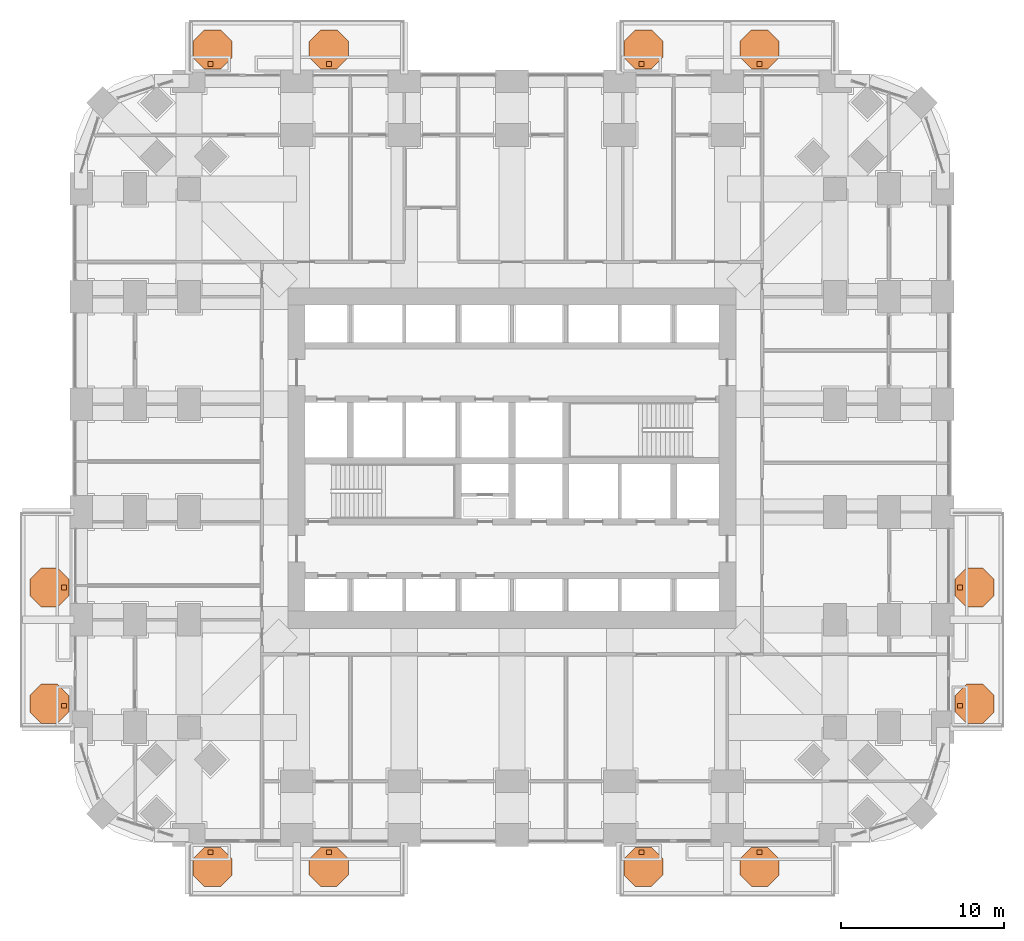
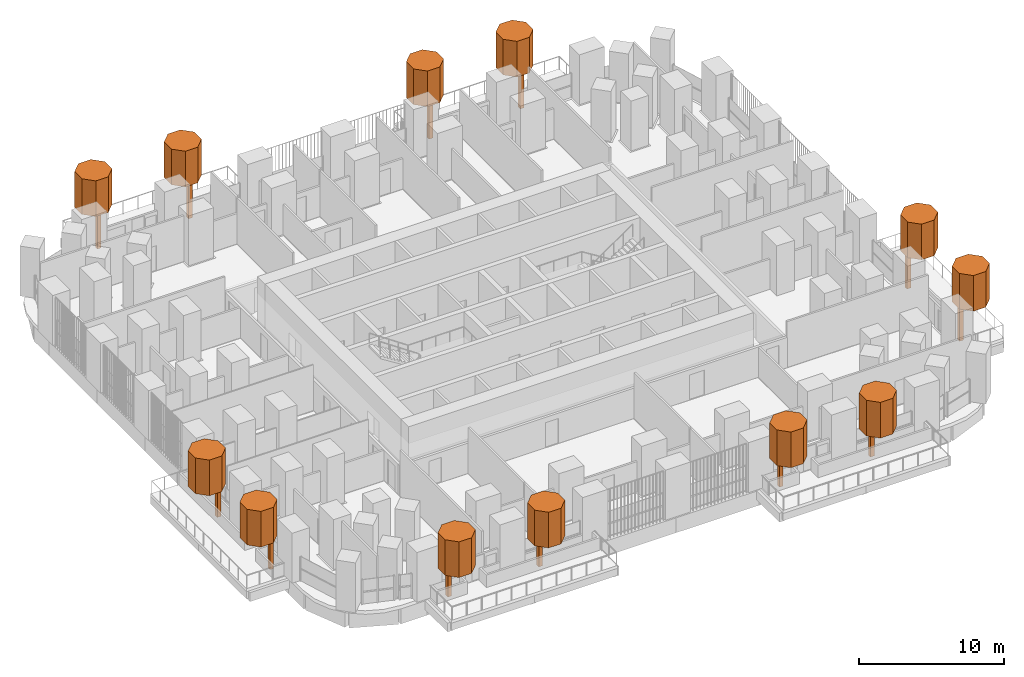
# One storey, part 27 of 27: 24 geographic elements.
"""IFC4 building model written with IfcOpenShell, lengths in metres."""

from ifc_helpers import new_model, si_unit, direction, frame, origin, origin_2d, place, context, subcontext, project, spatial, polyline, rectangle, outline, extrude, material, type_object, element, save


model = new_model("IFC4")

# Units and contexts
model_context = context("Model", 3, precision=1e-05, world=origin(), true_north=direction((0.0, 1.0)))
body_context = subcontext(model_context, "Body", "Model", "MODEL_VIEW")
ifc_project = project(units=[si_unit("LENGTHUNIT", "METRE"), si_unit("AREAUNIT", "SQUARE_METRE"), si_unit("VOLUMEUNIT", "CUBIC_METRE"), si_unit("PLANEANGLEUNIT", "RADIAN"), si_unit("MASSUNIT", "GRAM", prefix="KILO")], contexts=[model_context])

# Site, building, storey
site_placement = place(None, origin())
site = spatial("IfcSite", under=ifc_project, at=site_placement, CompositionType="ELEMENT")
building_placement = place(site_placement, origin())
building = spatial("IfcBuilding", under=site, at=building_placement, Name="Cobogo Forest Laboratory Tower", CompositionType="ELEMENT")
storey_placement = place(building_placement, frame((0.0, 0.0, 71.699951171875)))
storey = spatial("IfcBuildingStorey", under=building, at=storey_placement, Name="L16", CompositionType="ELEMENT", Elevation=71.699951171875)

# Geographic elements
ifc_material = material(Name="Planting", Category="plant")
geographic_element_type_1 = type_object("IfcGeographicElementType", Name="Tree trunk 300", PredefinedType="USERDEFINED", material=ifc_material)
for number, where, z_axis, x_axis, name in (
    (1, (7.925048828125, -1.050048828125, 0.0), (0.0, 0.0, 1.0), (1.0, 0.0, 0.0), "Tree trunk BAL-S1-PL1 L16"),
    (2, (15.175048828125, -1.050048828125, 0.0), (0.0, 0.0, 1.0), (1.0, 0.0, 0.0), "Tree trunk BAL-S1-PL2 L16"),
    (3, (34.324951171875, -1.050048828125, 0.0), (0.0, 0.0, 1.0), (1.0, 0.0, 0.0), "Tree trunk BAL-S2-PL1 L16"),
    (4, (41.574951171875, -1.050048828125, 0.0), (0.0, 0.0, 1.0), (1.0, 0.0, 0.0), "Tree trunk BAL-S2-PL2 L16"),
    (5, (53.85009765625, 7.925048828125, 0.0), (0.0, 0.0, 1.0), (1.0, 0.0, 0.0), "Tree trunk BAL-E1-PL1 L16"),
    (6, (53.85009765625, 15.175048828125, 0.0), (0.0, 0.0, 1.0), (1.0, 0.0, 0.0), "Tree trunk BAL-E1-PL2 L16"),
    (7, (7.925048828125, 47.25, 0.0), (0.0, 0.0, 1.0), (1.0, 0.0, 0.0), "Tree trunk BAL-N1-PL1 L16"),
    (8, (15.175048828125, 47.25, 0.0), (0.0, 0.0, 1.0), (1.0, 0.0, 0.0), "Tree trunk BAL-N1-PL2 L16"),
    (9, (34.324951171875, 47.25, 0.0), (0.0, 0.0, 1.0), (1.0, 0.0, 0.0), "Tree trunk BAL-N2-PL1 L16"),
    (10, (41.574951171875, 47.25, 0.0), (0.0, 0.0, 1.0), (1.0, 0.0, 0.0), "Tree trunk BAL-N2-PL2 L16"),
    (11, (-1.050048828125, 7.925048828125, 0.0), (0.0, 0.0, 1.0), (1.0, 0.0, 0.0), "Tree trunk BAL-W1-PL1 L16"),
    (12, (-1.050048828125, 15.175048828125, 0.0), (0.0, 0.0, 1.0), (1.0, 0.0, 0.0), "Tree trunk BAL-W1-PL2 L16"),
):
    element("IfcGeographicElement", number, at=place(storey_placement, frame(where, z_axis=z_axis, x_axis=x_axis)), inside=storey, type_object=geographic_element_type_1, Name=name, ObjectType="TREE TRUNK", PredefinedType="USERDEFINED", context=body_context, shape_type="SweptSolid", body=[
        extrude(rectangle(XDim=0.300048828125, YDim=0.300048828125, at=origin_2d()), origin(), (0.0, 0.0, 1.0), 2.89990234375),
    ])
geographic_element_type_2 = type_object("IfcGeographicElementType", Name="Tree, holm oak 5 m", PredefinedType="USERDEFINED", material=ifc_material)
geographic_element_1_placement = place(storey_placement, frame((0.0, 0.0, 2.900146484375)))
element("IfcGeographicElement", 13, at=geographic_element_1_placement, inside=storey, type_object=geographic_element_type_2, Name="Holm tree BAL-S1-PL1 L16", ObjectType="TREE", PredefinedType="USERDEFINED", context=body_context, shape_type="SweptSolid", body=[
    extrude(outline(polyline([(9.25, -2.447021484375), (9.25, -1.452880859375), (8.547119140625, -0.75), (7.552978515625, -0.75), (6.85009765625, -1.452880859375), (6.85009765625, -2.447021484375), (7.552978515625, -3.14990234375), (8.547119140625, -3.14990234375), (9.25, -2.447021484375)])), origin(), (0.0, 0.0, 1.0), 3.0),
])
geographic_element_2_placement = place(storey_placement, frame((0.0, 0.0, 2.900146484375)))
element("IfcGeographicElement", 14, at=geographic_element_2_placement, inside=storey, type_object=geographic_element_type_2, Name="Holm tree BAL-S1-PL2 L16", ObjectType="TREE", PredefinedType="USERDEFINED", context=body_context, shape_type="SweptSolid", body=[
    extrude(outline(polyline([(16.375, -2.447021484375), (16.375, -1.452880859375), (15.672119140625, -0.75), (14.677978515625, -0.75), (13.97509765625, -1.452880859375), (13.97509765625, -2.447021484375), (14.677978515625, -3.14990234375), (15.672119140625, -3.14990234375), (16.375, -2.447021484375)])), origin(), (0.0, 0.0, 1.0), 3.0),
])
geographic_element_3_placement = place(storey_placement, frame((0.0, 0.0, 2.900146484375)))
element("IfcGeographicElement", 15, at=geographic_element_3_placement, inside=storey, type_object=geographic_element_type_2, Name="Holm tree BAL-S2-PL1 L16", ObjectType="TREE", PredefinedType="USERDEFINED", context=body_context, shape_type="SweptSolid", body=[
    extrude(outline(polyline([(35.64990234375, -2.447021484375), (35.64990234375, -1.452880859375), (34.947021484375, -0.75), (33.952880859375, -0.75), (33.25, -1.452880859375), (33.25, -2.447021484375), (33.952880859375, -3.14990234375), (34.947021484375, -3.14990234375), (35.64990234375, -2.447021484375)])), origin(), (0.0, 0.0, 1.0), 3.0),
])
geographic_element_4_placement = place(storey_placement, frame((0.0, 0.0, 2.900146484375)))
element("IfcGeographicElement", 16, at=geographic_element_4_placement, inside=storey, type_object=geographic_element_type_2, Name="Holm tree BAL-S2-PL2 L16", ObjectType="TREE", PredefinedType="USERDEFINED", context=body_context, shape_type="SweptSolid", body=[
    extrude(outline(polyline([(42.77490234375, -2.447021484375), (42.77490234375, -1.452880859375), (42.072021484375, -0.75), (41.077880859375, -0.75), (40.375, -1.452880859375), (40.375, -2.447021484375), (41.077880859375, -3.14990234375), (42.072021484375, -3.14990234375), (42.77490234375, -2.447021484375)])), origin(), (0.0, 0.0, 1.0), 3.0),
])
geographic_element_5_placement = place(storey_placement, frame((0.0, 0.0, 2.900146484375)))
element("IfcGeographicElement", 17, at=geographic_element_5_placement, inside=storey, type_object=geographic_element_type_2, Name="Holm tree BAL-E1-PL1 L16", ObjectType="TREE", PredefinedType="USERDEFINED", context=body_context, shape_type="SweptSolid", body=[
    extrude(outline(polyline([(55.949951171875, 7.552978515625), (55.949951171875, 8.547119140625), (55.2470703125, 9.25), (54.2529296875, 9.25), (53.550048828125, 8.547119140625), (53.550048828125, 7.552978515625), (54.2529296875, 6.85009765625), (55.2470703125, 6.85009765625), (55.949951171875, 7.552978515625)])), origin(), (0.0, 0.0, 1.0), 3.0),
])
geographic_element_6_placement = place(storey_placement, frame((0.0, 0.0, 2.900146484375)))
element("IfcGeographicElement", 18, at=geographic_element_6_placement, inside=storey, type_object=geographic_element_type_2, Name="Holm tree BAL-E1-PL2 L16", ObjectType="TREE", PredefinedType="USERDEFINED", context=body_context, shape_type="SweptSolid", body=[
    extrude(outline(polyline([(55.949951171875, 14.677978515625), (55.949951171875, 15.672119140625), (55.2470703125, 16.375), (54.2529296875, 16.375), (53.550048828125, 15.672119140625), (53.550048828125, 14.677978515625), (54.2529296875, 13.97509765625), (55.2470703125, 13.97509765625), (55.949951171875, 14.677978515625)])), origin(), (0.0, 0.0, 1.0), 3.0),
])
geographic_element_7_placement = place(storey_placement, frame((0.0, 0.0, 2.900146484375)))
element("IfcGeographicElement", 19, at=geographic_element_7_placement, inside=storey, type_object=geographic_element_type_2, Name="Holm tree BAL-N1-PL1 L16", ObjectType="TREE", PredefinedType="USERDEFINED", context=body_context, shape_type="SweptSolid", body=[
    extrude(outline(polyline([(9.25, 47.65283203125), (9.25, 48.64697265625), (8.547119140625, 49.35009765625), (7.552978515625, 49.35009765625), (6.85009765625, 48.64697265625), (6.85009765625, 47.65283203125), (7.552978515625, 46.949951171875), (8.547119140625, 46.949951171875), (9.25, 47.65283203125)])), origin(), (0.0, 0.0, 1.0), 3.0),
])
geographic_element_8_placement = place(storey_placement, frame((0.0, 0.0, 2.900146484375)))
element("IfcGeographicElement", 20, at=geographic_element_8_placement, inside=storey, type_object=geographic_element_type_2, Name="Holm tree BAL-N1-PL2 L16", ObjectType="TREE", PredefinedType="USERDEFINED", context=body_context, shape_type="SweptSolid", body=[
    extrude(outline(polyline([(16.375, 47.65283203125), (16.375, 48.64697265625), (15.672119140625, 49.35009765625), (14.677978515625, 49.35009765625), (13.97509765625, 48.64697265625), (13.97509765625, 47.65283203125), (14.677978515625, 46.949951171875), (15.672119140625, 46.949951171875), (16.375, 47.65283203125)])), origin(), (0.0, 0.0, 1.0), 3.0),
])
geographic_element_9_placement = place(storey_placement, frame((0.0, 0.0, 2.900146484375)))
element("IfcGeographicElement", 21, at=geographic_element_9_placement, inside=storey, type_object=geographic_element_type_2, Name="Holm tree BAL-N2-PL1 L16", ObjectType="TREE", PredefinedType="USERDEFINED", context=body_context, shape_type="SweptSolid", body=[
    extrude(outline(polyline([(35.64990234375, 47.65283203125), (35.64990234375, 48.64697265625), (34.947021484375, 49.35009765625), (33.952880859375, 49.35009765625), (33.25, 48.64697265625), (33.25, 47.65283203125), (33.952880859375, 46.949951171875), (34.947021484375, 46.949951171875), (35.64990234375, 47.65283203125)])), origin(), (0.0, 0.0, 1.0), 3.0),
])
geographic_element_10_placement = place(storey_placement, frame((0.0, 0.0, 2.900146484375)))
element("IfcGeographicElement", 22, at=geographic_element_10_placement, inside=storey, type_object=geographic_element_type_2, Name="Holm tree BAL-N2-PL2 L16", ObjectType="TREE", PredefinedType="USERDEFINED", context=body_context, shape_type="SweptSolid", body=[
    extrude(outline(polyline([(42.77490234375, 47.65283203125), (42.77490234375, 48.64697265625), (42.072021484375, 49.35009765625), (41.077880859375, 49.35009765625), (40.375, 48.64697265625), (40.375, 47.65283203125), (41.077880859375, 46.949951171875), (42.072021484375, 46.949951171875), (42.77490234375, 47.65283203125)])), origin(), (0.0, 0.0, 1.0), 3.0),
])
geographic_element_11_placement = place(storey_placement, frame((0.0, 0.0, 2.900146484375)))
element("IfcGeographicElement", 23, at=geographic_element_11_placement, inside=storey, type_object=geographic_element_type_2, Name="Holm tree BAL-W1-PL1 L16", ObjectType="TREE", PredefinedType="USERDEFINED", context=body_context, shape_type="SweptSolid", body=[
    extrude(outline(polyline([(-0.75, 7.552978515625), (-0.75, 8.547119140625), (-1.452880859375, 9.25), (-2.447021484375, 9.25), (-3.14990234375, 8.547119140625), (-3.14990234375, 7.552978515625), (-2.447021484375, 6.85009765625), (-1.452880859375, 6.85009765625), (-0.75, 7.552978515625)])), origin(), (0.0, 0.0, 1.0), 3.0),
])
geographic_element_12_placement = place(storey_placement, frame((0.0, 0.0, 2.900146484375)))
element("IfcGeographicElement", 24, at=geographic_element_12_placement, inside=storey, type_object=geographic_element_type_2, Name="Holm tree BAL-W1-PL2 L16", ObjectType="TREE", PredefinedType="USERDEFINED", context=body_context, shape_type="SweptSolid", body=[
    extrude(outline(polyline([(-0.75, 14.677978515625), (-0.75, 15.672119140625), (-1.452880859375, 16.375), (-2.447021484375, 16.375), (-3.14990234375, 15.672119140625), (-3.14990234375, 14.677978515625), (-2.447021484375, 13.97509765625), (-1.452880859375, 13.97509765625), (-0.75, 14.677978515625)])), origin(), (0.0, 0.0, 1.0), 3.0),
])

save(model, "model.ifc")
